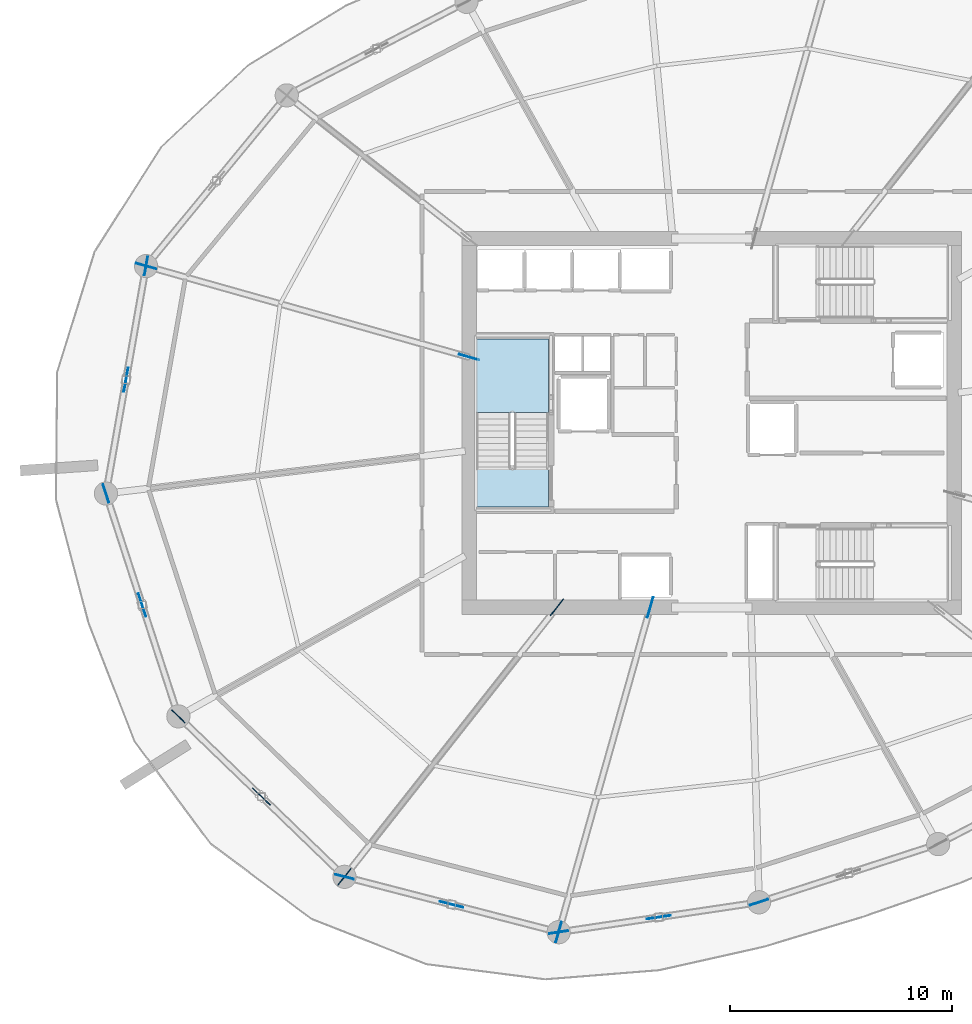
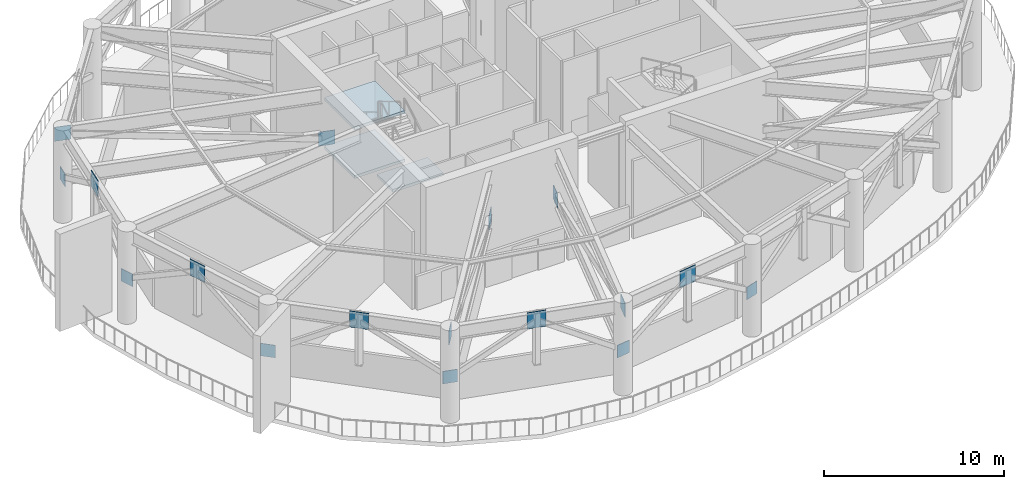
# One storey, part 9 of 20: 17 plates, 3 slabs, 1 element without a shape of its own.
"""IFC4 building model written with IfcOpenShell, lengths in metres."""

from ifc_helpers import new_model, si_unit, direction, frame, origin, origin_2d, place, context, subcontext, project, spatial, polyline, rectangle, outline, extrude, material, layer, layer_set, type_object, element, aggregate, save


model = new_model("IFC4")

# Units and contexts
model_context = context("Model", 3, precision=1e-05, world=origin(), true_north=direction((0.0, 1.0)))
body_context = subcontext(model_context, "Body", "Model", "MODEL_VIEW")
ifc_project = project(units=[si_unit("LENGTHUNIT", "METRE"), si_unit("AREAUNIT", "SQUARE_METRE"), si_unit("VOLUMEUNIT", "CUBIC_METRE"), si_unit("PLANEANGLEUNIT", "RADIAN"), si_unit("MASSUNIT", "GRAM", prefix="KILO")], contexts=[model_context])

# Site, building, storey
site_placement = place(None, origin())
site = spatial("IfcSite", under=ifc_project, at=site_placement, CompositionType="ELEMENT")
building_placement = place(site_placement, origin())
building = spatial("IfcBuilding", under=site, at=building_placement, Name="Kazma Halo Residences", CompositionType="ELEMENT")
storey_placement = place(building_placement, frame((0.0, 0.0, 225.300048828125)))
storey = spatial("IfcBuildingStorey", under=building, at=storey_placement, Name="L57", CompositionType="ELEMENT", Elevation=225.300048828125)

# Plates
ifc_material_1 = material(Name="Steel S355", Category="steel")
ifc_layer_1 = layer(ifc_material_1, 0.0400390625)
ifc_layer_set_1 = layer_set([ifc_layer_1], Name="Steel S355")
plate_type = type_object("IfcPlateType", Name="PLT-GUSSET-40", PredefinedType="SHEET", material=ifc_layer_set_1)
plate_1_placement = place(storey_placement, frame((21.989501953125, 43.947509765625, 5.2099609375), z_axis=(0.0, 0.0, 1.0), x_axis=(-0.173649069267, -0.984807595799, 0.0)))
element("IfcPlate", 1, at=plate_1_placement, inside=storey, type_object=plate_type, Name="L57 belt-truss apex gusset plate 07", PredefinedType="SHEET", context=body_context, shape_type="SweptSolid", body=[
    extrude(rectangle(XDim=1.10009765625, YDim=0.0400390625, at=origin_2d()), origin(), (0.0, 0.0, 1.0), 1.10009765625),
])
plate_2_placement = place(storey_placement, frame((22.89453125, 49.080322265625, 2.39501953125), z_axis=(0.0, 0.0, 1.0), x_axis=(-0.173649069267, -0.984807595799, 0.0)))
element("IfcPlate", 2, at=plate_2_placement, inside=storey, type_object=plate_type, Name="L57 belt-truss column gusset plate 07", PredefinedType="SHEET", context=body_context, shape_type="SweptSolid", body=[
    extrude(rectangle(XDim=0.85009765625, YDim=0.0400390625, at=origin_2d()), origin(), (0.0, 0.0, 1.0), 0.85009765625),
])
plate_3_placement = place(storey_placement, frame((22.718505859375, 33.785400390625, 5.2099609375), z_axis=(0.0, 0.0, 1.0), x_axis=(0.309015939189, -0.951056859145, 0.0)))
element("IfcPlate", 3, at=plate_3_placement, inside=storey, type_object=plate_type, Name="L57 belt-truss apex gusset plate 08", PredefinedType="SHEET", context=body_context, shape_type="SweptSolid", body=[
    extrude(rectangle(XDim=1.10009765625, YDim=0.0400390625, at=origin_2d()), origin(), (0.0, 0.0, 1.0), 1.10009765625),
])
plate_4_placement = place(storey_placement, frame((21.08447265625, 38.814208984375, 2.39501953125), z_axis=(0.0, 0.0, 1.0), x_axis=(0.309015939189, -0.951056859145, 0.0)))
element("IfcPlate", 4, at=plate_4_placement, inside=storey, type_object=plate_type, Name="L57 belt-truss column gusset plate 08", PredefinedType="SHEET", context=body_context, shape_type="SweptSolid", body=[
    extrude(rectangle(XDim=0.85009765625, YDim=0.0400390625, at=origin_2d()), origin(), (0.0, 0.0, 1.0), 0.85009765625),
])
plate_5_placement = place(storey_placement, frame((28.101806640625, 25.135986328125, 5.2099609375), z_axis=(0.0, 0.0, 1.0), x_axis=(0.719340135133, -0.694658023769, 0.0)))
element("IfcPlate", 5, at=plate_5_placement, inside=storey, type_object=plate_type, Name="L57 belt-truss apex gusset plate 09", PredefinedType="SHEET", context=body_context, shape_type="SweptSolid", body=[
    extrude(rectangle(XDim=1.10009765625, YDim=0.0400390625, at=origin_2d()), origin(), (0.0, 0.0, 1.0), 1.10009765625),
])
plate_6_placement = place(storey_placement, frame((24.352294921875, 28.756591796875, 2.39501953125), z_axis=(0.0, 0.0, 1.0), x_axis=(0.719340135133, -0.694658023769, 0.0)))
element("IfcPlate", 6, at=plate_6_placement, inside=storey, type_object=plate_type, Name="L57 belt-truss column gusset plate 09", PredefinedType="SHEET", context=body_context, shape_type="SweptSolid", body=[
    extrude(rectangle(XDim=0.85009765625, YDim=0.0400390625, at=origin_2d()), origin(), (0.0, 0.0, 1.0), 0.85009765625),
])
plate_7_placement = place(storey_placement, frame((36.68408203125, 20.264892578125, 5.2099609375), z_axis=(0.0, 0.0, 1.0), x_axis=(0.968125183138, -0.250466823698, 0.0)))
element("IfcPlate", 7, at=plate_7_placement, inside=storey, type_object=plate_type, Name="L57 belt-truss apex gusset plate 10", PredefinedType="SHEET", context=body_context, shape_type="SweptSolid", body=[
    extrude(rectangle(XDim=1.10009765625, YDim=0.0400390625, at=origin_2d()), origin(), (0.0, 0.0, 1.0), 1.10009765625),
])
plate_8_placement = place(storey_placement, frame((31.85107421875, 21.51513671875, 2.39501953125), z_axis=(0.0, 0.0, 1.0), x_axis=(0.968125183138, -0.250466823698, 0.0)))
element("IfcPlate", 8, at=plate_8_placement, inside=storey, type_object=plate_type, Name="L57 belt-truss column gusset plate 10", PredefinedType="SHEET", context=body_context, shape_type="SweptSolid", body=[
    extrude(rectangle(XDim=0.85009765625, YDim=0.0400390625, at=origin_2d()), origin(), (0.0, 0.0, 1.0), 0.85009765625),
])
plate_9_placement = place(storey_placement, frame((46.0390625, 19.689697265625, 5.2099609375), z_axis=(0.0, 0.0, 1.0), x_axis=(0.989033926066, 0.147688500196, 0.0)))
element("IfcPlate", 9, at=plate_9_placement, inside=storey, type_object=plate_type, Name="L57 belt-truss apex gusset plate 11", PredefinedType="SHEET", context=body_context, shape_type="SweptSolid", body=[
    extrude(rectangle(XDim=1.10009765625, YDim=0.0400390625, at=origin_2d()), origin(), (0.0, 0.0, 1.0), 1.10009765625),
])
for number, where, z_axis, x_axis, name in (
    (10, (41.517333984375, 19.014404296875, 2.39501953125), (0.0, 0.0, 1.0), (0.989033926066, 0.147688500196, 0.0), "L57 belt-truss column gusset plate 11"),
    (11, (50.560791015625, 20.36474609375, 2.39501953125), (0.0, 0.0, 1.0), (0.951056975571, 0.309015580864, 0.0), "L57 belt-truss column gusset plate 12"),
):
    element("IfcPlate", number, at=place(storey_placement, frame(where, z_axis=z_axis, x_axis=x_axis)), inside=storey, type_object=plate_type, Name=name, PredefinedType="SHEET", context=body_context, shape_type="SweptSolid", body=[
        extrude(rectangle(XDim=0.85009765625, YDim=0.0400390625, at=origin_2d()), origin(), (0.0, 0.0, 1.0), 0.85009765625),
    ])
for number, where, z_axis, x_axis, name in (
    (12, (37.47509765625, 44.968505859375, 2.34521484375), (0.0, 0.0, 1.0), (-0.962456927932, 0.271434452264, 0.0), "L57 outrigger core gusset plate 04"),
    (13, (22.89453125, 49.080322265625, 5.28515625), (0.0, 0.0, 1.0), (-0.962456927932, 0.271434452264, 0.0), "L57 outrigger perimeter gusset plate 04"),
    (14, (41.43701171875, 33.675048828125, 2.34521484375), (0.0, 0.0, 1.0), (-0.619093416488, -0.785317350923, 0.0), "L57 outrigger core gusset plate 05"),
    (15, (31.85107421875, 21.51513671875, 5.28515625), (0.0, 0.0, 1.0), (-0.619093416488, -0.785317350923, 0.0), "L57 outrigger perimeter gusset plate 05"),
    (16, (45.652099609375, 33.675048828125, 2.34521484375), (0.0, 0.0, 1.0), (-0.271439426715, -0.962455525011, 0.0), "L57 outrigger core gusset plate 06"),
    (17, (41.517333984375, 19.014404296875, 5.28515625), (0.0, 0.0, 1.0), (-0.271439426715, -0.962455525011, 0.0), "L57 outrigger perimeter gusset plate 06"),
):
    element("IfcPlate", number, at=place(storey_placement, frame(where, z_axis=z_axis, x_axis=x_axis)), inside=storey, type_object=plate_type, Name=name, PredefinedType="SHEET", context=body_context, shape_type="SweptSolid", body=[
        extrude(rectangle(XDim=0.949951171875, YDim=0.0400390625, at=origin_2d()), origin(), (0.0, 0.0, 1.0), 0.949951171875),
    ])

# Stair, slabs
ifc_material_2 = material(Name="Concrete C50/60", Category="concrete")
stair_type = type_object("IfcStairType", Name="STR-CRWN", PredefinedType="HALF_TURN_STAIR", material=ifc_material_2)
stair_placement = place(storey_placement, origin())
stair = element("IfcStair", 18, at=stair_placement, inside=storey, type_object=stair_type, Name="L57 Core exit stair ST-01", PredefinedType="HALF_TURN_STAIR")
ifc_layer_2 = layer(ifc_material_2, 0.199951171875)
ifc_layer_set_2 = layer_set([ifc_layer_2], Name="Concrete C50/60")
slab_type = type_object("IfcSlabType", Name="SLB-STAIR-LND-200", PredefinedType="LANDING", material=ifc_layer_set_2)
slab_1_placement = place(storey_placement, frame((0.0, 0.0, 1.449951171875)))
slab_1 = element("IfcSlab", 19, at=slab_1_placement, type_object=slab_type, Name="ST-01 landing 1", PredefinedType="LANDING", context=body_context, shape_type="SweptSolid", body=[
    extrude(outline(polyline([(41.050048828125, 42.469970703125), (41.050048828125, 45.800048828125), (37.800048828125, 45.800048828125), (37.800048828125, 42.469970703125), (41.050048828125, 42.469970703125)])), origin(), (0.0, 0.0, 1.0), 0.199951171875),
])
slab_2_placement = place(storey_placement, frame((0.0, 0.0, 3.099853515625)))
slab_2 = element("IfcSlab", 20, at=slab_2_placement, type_object=slab_type, Name="ST-01 landing 2", PredefinedType="LANDING", context=body_context, shape_type="SweptSolid", body=[
    extrude(outline(polyline([(41.050048828125, 38.199951171875), (41.050048828125, 39.949951171875), (37.800048828125, 39.949951171875), (37.800048828125, 38.199951171875), (41.050048828125, 38.199951171875)])), origin(), (0.0, 0.0, 1.0), 0.2001953125),
])
slab_3_placement = place(storey_placement, frame((0.0, 0.0, 4.75)))
slab_3 = element("IfcSlab", 21, at=slab_3_placement, type_object=slab_type, Name="ST-01 landing 3", PredefinedType="LANDING", context=body_context, shape_type="SweptSolid", body=[
    extrude(outline(polyline([(41.050048828125, 42.469970703125), (41.050048828125, 45.800048828125), (37.800048828125, 45.800048828125), (37.800048828125, 42.469970703125), (41.050048828125, 42.469970703125)])), origin(), (0.0, 0.0, 1.0), 0.199951171875),
])
aggregate(stair, [slab_1, slab_2, slab_3])

save(model, "model.ifc")
